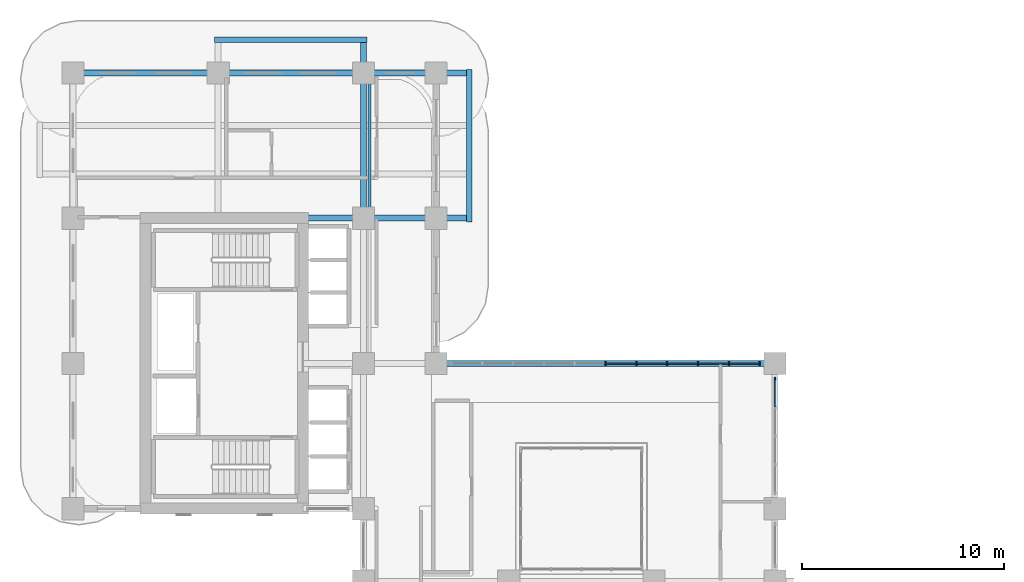
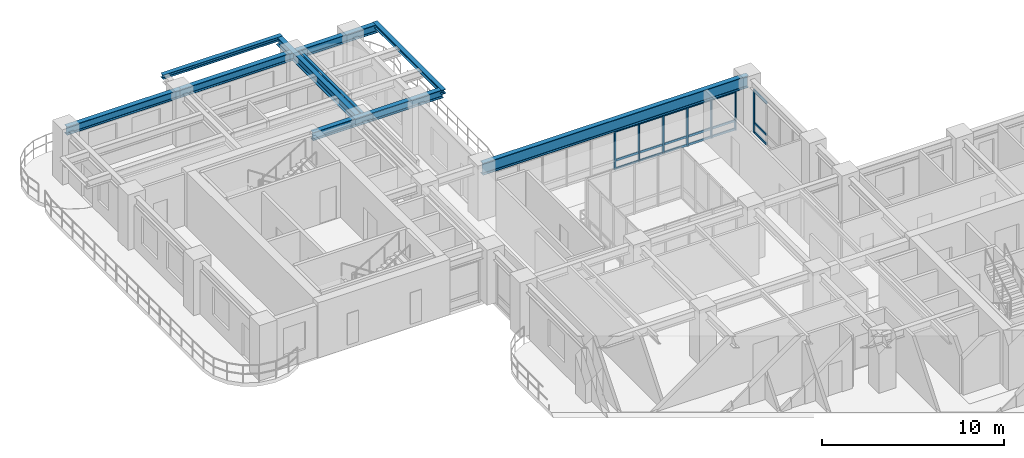
# One storey, part 7 of 22: 25 members, 8 beams, 2 elements without a shape of their own.
"""IFC4 building model written with IfcOpenShell, lengths in metres."""

from ifc_helpers import new_model, si_unit, derived_unit, direction, frame, origin, origin_2d, place, context, subcontext, project, spatial, rectangle, i_section, extrude, source, transform, mapped, material, layer, layer_set, material_profile, profile_set, type_object, type_shapes, element, aggregate, save


model = new_model("IFC4")

# Units and contexts
model_context = context("Model", 3, precision=1e-05, world=origin(), true_north=direction((0.0, 1.0)))
body_context = subcontext(model_context, "Body", "Model", "MODEL_VIEW")
ifc_project = project(units=[si_unit("LENGTHUNIT", "METRE"), si_unit("AREAUNIT", "SQUARE_METRE"), si_unit("VOLUMEUNIT", "CUBIC_METRE"), si_unit("PLANEANGLEUNIT", "RADIAN"), si_unit("MASSUNIT", "GRAM", prefix="KILO"), si_unit("THERMODYNAMICTEMPERATUREUNIT", "KELVIN"), si_unit("POWERUNIT", "WATT"), derived_unit("THERMALTRANSMITTANCEUNIT", [(si_unit("POWERUNIT", "WATT"), 1), (si_unit("AREAUNIT", "SQUARE_METRE"), -1), (si_unit("THERMODYNAMICTEMPERATUREUNIT", "KELVIN"), -1)])], contexts=[model_context])

# Site, building, storey
site_placement = place(None, origin())
site = spatial("IfcSite", under=ifc_project, at=site_placement, CompositionType="ELEMENT")
building_placement = place(site_placement, origin())
building = spatial("IfcBuilding", under=site, at=building_placement, Name="Zahravan Archway Hotel and Residences", CompositionType="ELEMENT")
storey_placement = place(building_placement, frame((0.0, 0.0, 76.800048828125)))
storey = spatial("IfcBuildingStorey", under=building, at=storey_placement, Name="L18", CompositionType="ELEMENT", Elevation=76.800048828125)

# Beams
ifc_material_1 = material(Name="Structural Steel S355JR", Category="steel")
ifc_material_profile_1 = material_profile(ifc_material_1, i_section(OverallWidth=0.280029296875, OverallDepth=0.280029296875, WebThickness=0.010498046875, FlangeThickness=0.01806640625, FilletRadius=0.02392578125, at=origin_2d()), Name="HEB 280", Category="steel")
ifc_profile_set_1 = profile_set([ifc_material_profile_1], Name="Structural Steel S355JR")
beam_type_1 = type_object("IfcBeamType", Name="BM-SPN-HEB280", PredefinedType="SPANDREL", material=ifc_profile_set_1)
shared_shape_1 = source(origin(), body_context, "Body", "SweptSolid", [
    extrude(i_section(OverallWidth=0.280029296875, OverallDepth=0.280029296875, WebThickness=0.010498046875, FlangeThickness=0.01806640625, FilletRadius=0.02392578125, at=origin_2d()), origin(), (0.0, 0.0, 1.0), 7.56005859375),
])
type_shapes(beam_type_1, [shared_shape_1])
for number, where, z_axis, x_axis, name in (
    (1, (19.64990234375, 39.419921875, 3.31005859375), (0.0, 1.0, 0.0), (-1.0, 0.0, 0.0), "L19 EB Balcony Edge Spandrel"),
    (2, (7.02001953125, 48.449951171875, 3.31005859375), (1.0, 0.0, 0.0), (0.0, 1.0, 0.0), "L19 NB Balcony Edge Spandrel"),
):
    element("IfcBeam", number, at=place(storey_placement, frame(where, z_axis=z_axis, x_axis=x_axis)), inside=storey, type_object=beam_type_1, Name=name, PredefinedType="SPANDREL", context=body_context, shape_type="MappedRepresentation", body=[
        mapped(shared_shape_1, transform((0.0, 0.0, 0.0), scale=1.0)),
    ])
ifc_material_profile_2 = material_profile(ifc_material_1, i_section(OverallWidth=0.300048828125, OverallDepth=0.550048828125, WebThickness=0.014892578125, FlangeThickness=0.029052734375, FilletRadius=0.027099609375, at=origin_2d()), Name="HEB 550", Category="steel")
ifc_profile_set_2 = profile_set([ifc_material_profile_2], Name="Structural Steel S355JR")
beam_type_2 = type_object("IfcBeamType", Name="BM-PRI-HEB550", PredefinedType="BEAM", material=ifc_profile_set_2)
shared_shape_2 = source(origin(), body_context, "Body", "SweptSolid", [
    extrude(i_section(OverallWidth=0.300048828125, OverallDepth=0.550048828125, WebThickness=0.014892578125, FlangeThickness=0.029052734375, FilletRadius=0.027099609375, at=origin_2d()), origin(), (0.0, 0.0, 1.0), 7.199951171875),
])
beam_1_placement = place(storey_placement, frame((0.0, 46.800048828125, 3.175048828125), z_axis=(1.0, 0.0, 0.0), x_axis=(0.0, 1.0, 0.0)))
element("IfcBeam", 3, at=beam_1_placement, inside=storey, type_object=beam_type_2, Name="L18 Primary Girder EW-24", PredefinedType="BEAM", context=body_context, shape_type="MappedRepresentation", body=[
    mapped(shared_shape_2, transform((0.0, 0.0, 0.0), scale=1.0)),
])
shared_shape_3 = source(origin(), body_context, "Body", "SweptSolid", [
    extrude(i_section(OverallWidth=0.300048828125, OverallDepth=0.550048828125, WebThickness=0.014892578125, FlangeThickness=0.029052734375, FilletRadius=0.027099609375, at=origin_2d()), origin(), (0.0, 0.0, 1.0), 8.25),
])
beam_2_placement = place(storey_placement, frame((11.39990234375, 39.60009765625, 3.175048828125), z_axis=(1.0, 0.0, 0.0), x_axis=(0.0, 1.0, 0.0)))
element("IfcBeam", 4, at=beam_2_placement, inside=storey, type_object=beam_type_2, Name="L18 Primary Girder EW-23", PredefinedType="BEAM", context=body_context, shape_type="MappedRepresentation", body=[
    mapped(shared_shape_3, transform((0.0, 0.0, 0.0), scale=1.0)),
])
shared_shape_4 = source(origin(), body_context, "Body", "SweptSolid", [
    extrude(i_section(OverallWidth=0.300048828125, OverallDepth=0.550048828125, WebThickness=0.014892578125, FlangeThickness=0.029052734375, FilletRadius=0.027099609375, at=origin_2d()), origin(), (0.0, 0.0, 1.0), 12.449951171875),
])
beam_3_placement = place(storey_placement, frame((7.199951171875, 46.800048828125, 3.175048828125), z_axis=(1.0, 0.0, 0.0), x_axis=(0.0, 1.0, 0.0)))
element("IfcBeam", 5, at=beam_3_placement, inside=storey, type_object=beam_type_2, Name="L18 Primary Girder EW-25", PredefinedType="BEAM", context=body_context, shape_type="MappedRepresentation", body=[
    mapped(shared_shape_4, transform((0.0, 0.0, 0.0), scale=1.0)),
])
shared_shape_5 = source(origin(), body_context, "Body", "SweptSolid", [
    extrude(i_section(OverallWidth=0.300048828125, OverallDepth=0.550048828125, WebThickness=0.014892578125, FlangeThickness=0.029052734375, FilletRadius=0.027099609375, at=origin_2d()), origin(), (0.0, 0.0, 1.0), 8.849853515625),
])
beam_4_placement = place(storey_placement, frame((14.39990234375, 39.60009765625, 3.175048828125), z_axis=(0.0, 1.0, 0.0), x_axis=(-1.0, 0.0, 0.0)))
element("IfcBeam", 6, at=beam_4_placement, inside=storey, type_object=beam_type_2, Name="L18 Primary Girder NS-38", PredefinedType="BEAM", context=body_context, shape_type="MappedRepresentation", body=[
    mapped(shared_shape_5, transform((0.0, 0.0, 0.0), scale=1.0)),
])
ifc_material_2 = material(Name="Structural Steel S355J2", Category="steel")
ifc_material_profile_3 = material_profile(ifc_material_2, i_section(OverallWidth=0.300048828125, OverallDepth=0.800048828125, WebThickness=0.017578125, FlangeThickness=0.032958984375, FilletRadius=0.030029296875, at=origin_2d()), Name="HEB 800", Category="steel")
ifc_profile_set_3 = profile_set([ifc_material_profile_3], Name="Structural Steel S355J2")
beam_type_3 = type_object("IfcBeamType", Name="BM-PRI-HEB800", PredefinedType="BEAM", material=ifc_profile_set_3)
shared_shape_6 = source(origin(), body_context, "Body", "SweptSolid", [
    extrude(i_section(OverallWidth=0.300048828125, OverallDepth=0.800048828125, WebThickness=0.017578125, FlangeThickness=0.032958984375, FilletRadius=0.030029296875, at=origin_2d()), origin(), (0.0, 0.0, 1.0), 16.800048828125),
])
type_shapes(beam_type_3, [shared_shape_6])
beam_5_placement = place(storey_placement, frame((18.0, 32.39990234375, 3.050048828125), z_axis=(1.0, 0.0, 0.0), x_axis=(0.0, 1.0, 0.0)))
element("IfcBeam", 7, at=beam_5_placement, inside=storey, type_object=beam_type_3, Name="L18 Primary Girder EW-22", PredefinedType="BEAM", context=body_context, shape_type="MappedRepresentation", body=[
    mapped(shared_shape_6, transform((0.0, 0.0, 0.0), scale=1.0)),
])
ifc_material_profile_4 = material_profile(ifc_material_1, i_section(OverallWidth=0.169921875, OverallDepth=0.360107421875, WebThickness=0.008056640625, FlangeThickness=0.0126953125, FilletRadius=0.01806640625, at=origin_2d()), Name="IPE 360", Category="steel")
ifc_profile_set_4 = profile_set([ifc_material_profile_4], Name="Structural Steel S355JR")
beam_type_4 = type_object("IfcBeamType", Name="BM-JST-IPE360", PredefinedType="JOIST", material=ifc_profile_set_4)
shared_shape_7 = source(origin(), body_context, "Body", "SweptSolid", [
    extrude(i_section(OverallWidth=0.169921875, OverallDepth=0.360107421875, WebThickness=0.008056640625, FlangeThickness=0.0126953125, FilletRadius=0.01806640625, at=origin_2d()), origin(), (0.0, 0.0, 1.0), 6.904052734375),
])
type_shapes(beam_type_4, [shared_shape_7])
beam_6_placement = place(storey_placement, frame((14.699951171875, 39.748046875, 3.27001953125), z_axis=(0.0, 1.0, 0.0), x_axis=(-1.0, 0.0, 0.0)))
element("IfcBeam", 8, at=beam_6_placement, inside=storey, type_object=beam_type_4, Name="L18 Composite Floor Joist 14", PredefinedType="JOIST", context=body_context, shape_type="MappedRepresentation", body=[
    mapped(shared_shape_7, transform((0.0, 0.0, 0.0), scale=1.0)),
])

# Curtain wall, members
ifc_material_3 = material(Name="Bronze-Anodized Unitised Aluminium & Low-E Glass", Category="aluminium")
ifc_layer = layer(ifc_material_3, 0.179931640625, Name="Bronze-Anodized Unitised Aluminium & Low-E Glass", Category="aluminium")
ifc_layer_set = layer_set([ifc_layer], Name="Bronze-Anodized Unitised Aluminium & Low-E Glass")
curtain_wall_type = type_object("IfcCurtainWallType", Name="CW-ATR-GLAZ", PredefinedType="NOTDEFINED", material=ifc_layer_set)
curtain_wall_1_placement = place(storey_placement, origin())
curtain_wall_1 = element("IfcCurtainWall", 9, at=curtain_wall_1_placement, inside=storey, type_object=curtain_wall_type, Name="L18 Curtain Wall CW-L18-HNG-E-2", PredefinedType="NOTDEFINED")
ifc_material_4 = material(Name="Bronze-Anodized Extruded Aluminium", Category="aluminium")
ifc_material_profile_5 = material_profile(ifc_material_4, rectangle(XDim=0.080078125, YDim=0.139892578125, at=origin_2d()), Name="TRN 80x140", Category="aluminium")
ifc_profile_set_5 = profile_set([ifc_material_profile_5], Name="Bronze-Anodized Extruded Aluminium")
member_type_1 = type_object("IfcMemberType", Name="CWM-TRN-140", PredefinedType="USERDEFINED", material=ifc_profile_set_5)
shared_shape_8 = source(origin(), body_context, "Body", "SweptSolid", [
    extrude(rectangle(XDim=0.080078125, YDim=0.139892578125, at=origin_2d()), origin(), (0.0, 0.0, 1.0), 1.340087890625),
])
member_1_placement = place(storey_placement, frame((34.800048828125, 30.260009765625, 0.070068359375), z_axis=(0.0, 1.0, 0.0), x_axis=(-1.0, 0.0, 0.0)))
member_1 = element("IfcMember", 10, at=member_1_placement, type_object=member_type_1, Name="CW-L18-HNG-E-2 Transom 3-1", ObjectType="TRANSOM", PredefinedType="USERDEFINED", context=body_context, shape_type="MappedRepresentation", body=[
    mapped(shared_shape_8, transform((0.0, 0.0, 0.0), scale=1.0)),
])
member_2_placement = place(storey_placement, frame((34.800048828125, 30.260009765625, 0.6923828125), z_axis=(0.0, 1.0, 0.0), x_axis=(-1.0, 0.0, 0.0)))
member_2 = element("IfcMember", 11, at=member_2_placement, type_object=member_type_1, Name="CW-L18-HNG-E-2 Transom 3-2", ObjectType="TRANSOM", PredefinedType="USERDEFINED", context=body_context, shape_type="MappedRepresentation", body=[
    mapped(shared_shape_8, transform((0.0, 0.0, 0.0), scale=1.0)),
])
member_3_placement = place(storey_placement, frame((34.800048828125, 30.260009765625, 2.81494140625), z_axis=(0.0, 1.0, 0.0), x_axis=(-1.0, 0.0, 0.0)))
member_3 = element("IfcMember", 12, at=member_3_placement, type_object=member_type_1, Name="CW-L18-HNG-E-2 Transom 3-3", ObjectType="TRANSOM", PredefinedType="USERDEFINED", context=body_context, shape_type="MappedRepresentation", body=[
    mapped(shared_shape_8, transform((0.0, 0.0, 0.0), scale=1.0)),
])
ifc_material_profile_6 = material_profile(ifc_material_4, rectangle(XDim=0.080078125, YDim=0.159912109375, at=origin_2d()), Name="MUL 80x160", Category="aluminium")
ifc_profile_set_6 = profile_set([ifc_material_profile_6], Name="Bronze-Anodized Extruded Aluminium")
member_type_2 = type_object("IfcMemberType", Name="CWM-MUL-160", PredefinedType="MULLION", material=ifc_profile_set_6)
shared_shape_9 = source(origin(), body_context, "Body", "SweptSolid", [
    extrude(rectangle(XDim=0.080078125, YDim=0.159912109375, at=origin_2d()), origin(), (0.0, 0.0, 1.0), 2.885009765625),
])
member_4_placement = place(storey_placement, frame((34.800048828125, 31.639892578125, 0.0), z_axis=(0.0, 0.0, 1.0), x_axis=(1.0, 0.0, 0.0)))
member_4 = element("IfcMember", 13, at=member_4_placement, type_object=member_type_2, Name="CW-L18-HNG-E-2 Mullion 4", PredefinedType="MULLION", context=body_context, shape_type="MappedRepresentation", body=[
    mapped(shared_shape_9, transform((0.0, 0.0, 0.0), scale=1.0)),
])
aggregate(curtain_wall_1, [member_4, member_1, member_2, member_3])

curtain_wall_2_placement = place(storey_placement, origin())
curtain_wall_2 = element("IfcCurtainWall", 14, at=curtain_wall_2_placement, inside=storey, type_object=curtain_wall_type, Name="L18 Curtain Wall CW-L18-HNG-N-1", PredefinedType="NOTDEFINED")
shared_shape_10 = source(origin(), body_context, "Body", "SweptSolid", [
    extrude(rectangle(XDim=0.080078125, YDim=0.159912109375, at=origin_2d()), origin(), (0.0, 0.0, 1.0), 2.635009765625),
])
member_5_placement = place(storey_placement, frame((26.39990234375, 32.39990234375, 0.0), z_axis=(0.0, 0.0, 1.0), x_axis=(1.0, 0.0, 0.0)))
member_5 = element("IfcMember", 15, at=member_5_placement, type_object=member_type_2, Name="CW-L18-HNG-N-1 Mullion 5", PredefinedType="MULLION", context=body_context, shape_type="MappedRepresentation", body=[
    mapped(shared_shape_10, transform((0.0, 0.0, 0.0), scale=1.0)),
])
member_6_placement = place(storey_placement, frame((27.927978515625, 32.39990234375, 0.0), z_axis=(0.0, 0.0, 1.0), x_axis=(1.0, 0.0, 0.0)))
member_6 = element("IfcMember", 16, at=member_6_placement, type_object=member_type_2, Name="CW-L18-HNG-N-1 Mullion 6", PredefinedType="MULLION", context=body_context, shape_type="MappedRepresentation", body=[
    mapped(shared_shape_10, transform((0.0, 0.0, 0.0), scale=1.0)),
])
member_7_placement = place(storey_placement, frame((29.4560546875, 32.39990234375, 0.0), z_axis=(0.0, 0.0, 1.0), x_axis=(1.0, 0.0, 0.0)))
member_7 = element("IfcMember", 17, at=member_7_placement, type_object=member_type_2, Name="CW-L18-HNG-N-1 Mullion 7", PredefinedType="MULLION", context=body_context, shape_type="MappedRepresentation", body=[
    mapped(shared_shape_10, transform((0.0, 0.0, 0.0), scale=1.0)),
])
member_8_placement = place(storey_placement, frame((30.98388671875, 32.39990234375, 0.0), z_axis=(0.0, 0.0, 1.0), x_axis=(1.0, 0.0, 0.0)))
member_8 = element("IfcMember", 18, at=member_8_placement, type_object=member_type_2, Name="CW-L18-HNG-N-1 Mullion 8", PredefinedType="MULLION", context=body_context, shape_type="MappedRepresentation", body=[
    mapped(shared_shape_10, transform((0.0, 0.0, 0.0), scale=1.0)),
])
member_9_placement = place(storey_placement, frame((32.511962890625, 32.39990234375, 0.0), z_axis=(0.0, 0.0, 1.0), x_axis=(1.0, 0.0, 0.0)))
member_9 = element("IfcMember", 19, at=member_9_placement, type_object=member_type_2, Name="CW-L18-HNG-N-1 Mullion 9", PredefinedType="MULLION", context=body_context, shape_type="MappedRepresentation", body=[
    mapped(shared_shape_10, transform((0.0, 0.0, 0.0), scale=1.0)),
])
member_10_placement = place(storey_placement, frame((34.0400390625, 32.39990234375, 0.0), z_axis=(0.0, 0.0, 1.0), x_axis=(1.0, 0.0, 0.0)))
member_10 = element("IfcMember", 20, at=member_10_placement, type_object=member_type_2, Name="CW-L18-HNG-N-1 Mullion 10", PredefinedType="MULLION", context=body_context, shape_type="MappedRepresentation", body=[
    mapped(shared_shape_10, transform((0.0, 0.0, 0.0), scale=1.0)),
])
shared_shape_11 = source(origin(), body_context, "Body", "SweptSolid", [
    extrude(rectangle(XDim=0.080078125, YDim=0.139892578125, at=origin_2d()), origin(), (0.0, 0.0, 1.0), 1.447998046875),
])
member_11_placement = place(storey_placement, frame((26.43994140625, 32.39990234375, 0.070068359375), z_axis=(1.0, 0.0, 0.0), x_axis=(0.0, 1.0, 0.0)))
member_11 = element("IfcMember", 21, at=member_11_placement, type_object=member_type_1, Name="CW-L18-HNG-N-1 Transom 5-1", ObjectType="TRANSOM", PredefinedType="USERDEFINED", context=body_context, shape_type="MappedRepresentation", body=[
    mapped(shared_shape_11, transform((0.0, 0.0, 0.0), scale=1.0)),
])
member_12_placement = place(storey_placement, frame((26.43994140625, 32.39990234375, 0.63232421875), z_axis=(1.0, 0.0, 0.0), x_axis=(0.0, 1.0, 0.0)))
member_12 = element("IfcMember", 22, at=member_12_placement, type_object=member_type_1, Name="CW-L18-HNG-N-1 Transom 5-2", ObjectType="TRANSOM", PredefinedType="USERDEFINED", context=body_context, shape_type="MappedRepresentation", body=[
    mapped(shared_shape_11, transform((0.0, 0.0, 0.0), scale=1.0)),
])
member_13_placement = place(storey_placement, frame((26.43994140625, 32.39990234375, 2.56494140625), z_axis=(1.0, 0.0, 0.0), x_axis=(0.0, 1.0, 0.0)))
member_13 = element("IfcMember", 23, at=member_13_placement, type_object=member_type_1, Name="CW-L18-HNG-N-1 Transom 5-3", ObjectType="TRANSOM", PredefinedType="USERDEFINED", context=body_context, shape_type="MappedRepresentation", body=[
    mapped(shared_shape_11, transform((0.0, 0.0, 0.0), scale=1.0)),
])
member_14_placement = place(storey_placement, frame((27.968017578125, 32.39990234375, 0.070068359375), z_axis=(1.0, 0.0, 0.0), x_axis=(0.0, 1.0, 0.0)))
member_14 = element("IfcMember", 24, at=member_14_placement, type_object=member_type_1, Name="CW-L18-HNG-N-1 Transom 6-1", ObjectType="TRANSOM", PredefinedType="USERDEFINED", context=body_context, shape_type="MappedRepresentation", body=[
    mapped(shared_shape_11, transform((0.0, 0.0, 0.0), scale=1.0)),
])
member_15_placement = place(storey_placement, frame((27.968017578125, 32.39990234375, 0.63232421875), z_axis=(1.0, 0.0, 0.0), x_axis=(0.0, 1.0, 0.0)))
member_15 = element("IfcMember", 25, at=member_15_placement, type_object=member_type_1, Name="CW-L18-HNG-N-1 Transom 6-2", ObjectType="TRANSOM", PredefinedType="USERDEFINED", context=body_context, shape_type="MappedRepresentation", body=[
    mapped(shared_shape_11, transform((0.0, 0.0, 0.0), scale=1.0)),
])
member_16_placement = place(storey_placement, frame((27.968017578125, 32.39990234375, 2.56494140625), z_axis=(1.0, 0.0, 0.0), x_axis=(0.0, 1.0, 0.0)))
member_16 = element("IfcMember", 26, at=member_16_placement, type_object=member_type_1, Name="CW-L18-HNG-N-1 Transom 6-3", ObjectType="TRANSOM", PredefinedType="USERDEFINED", context=body_context, shape_type="MappedRepresentation", body=[
    mapped(shared_shape_11, transform((0.0, 0.0, 0.0), scale=1.0)),
])
member_17_placement = place(storey_placement, frame((29.49609375, 32.39990234375, 0.070068359375), z_axis=(1.0, 0.0, 0.0), x_axis=(0.0, 1.0, 0.0)))
member_17 = element("IfcMember", 27, at=member_17_placement, type_object=member_type_1, Name="CW-L18-HNG-N-1 Transom 7-1", ObjectType="TRANSOM", PredefinedType="USERDEFINED", context=body_context, shape_type="MappedRepresentation", body=[
    mapped(shared_shape_11, transform((0.0, 0.0, 0.0), scale=1.0)),
])
member_18_placement = place(storey_placement, frame((29.49609375, 32.39990234375, 0.63232421875), z_axis=(1.0, 0.0, 0.0), x_axis=(0.0, 1.0, 0.0)))
member_18 = element("IfcMember", 28, at=member_18_placement, type_object=member_type_1, Name="CW-L18-HNG-N-1 Transom 7-2", ObjectType="TRANSOM", PredefinedType="USERDEFINED", context=body_context, shape_type="MappedRepresentation", body=[
    mapped(shared_shape_11, transform((0.0, 0.0, 0.0), scale=1.0)),
])
member_19_placement = place(storey_placement, frame((29.49609375, 32.39990234375, 2.56494140625), z_axis=(1.0, 0.0, 0.0), x_axis=(0.0, 1.0, 0.0)))
member_19 = element("IfcMember", 29, at=member_19_placement, type_object=member_type_1, Name="CW-L18-HNG-N-1 Transom 7-3", ObjectType="TRANSOM", PredefinedType="USERDEFINED", context=body_context, shape_type="MappedRepresentation", body=[
    mapped(shared_shape_11, transform((0.0, 0.0, 0.0), scale=1.0)),
])
member_20_placement = place(storey_placement, frame((31.02392578125, 32.39990234375, 0.070068359375), z_axis=(1.0, 0.0, 0.0), x_axis=(0.0, 1.0, 0.0)))
member_20 = element("IfcMember", 30, at=member_20_placement, type_object=member_type_1, Name="CW-L18-HNG-N-1 Transom 8-1", ObjectType="TRANSOM", PredefinedType="USERDEFINED", context=body_context, shape_type="MappedRepresentation", body=[
    mapped(shared_shape_11, transform((0.0, 0.0, 0.0), scale=1.0)),
])
member_21_placement = place(storey_placement, frame((31.02392578125, 32.39990234375, 0.63232421875), z_axis=(1.0, 0.0, 0.0), x_axis=(0.0, 1.0, 0.0)))
member_21 = element("IfcMember", 31, at=member_21_placement, type_object=member_type_1, Name="CW-L18-HNG-N-1 Transom 8-2", ObjectType="TRANSOM", PredefinedType="USERDEFINED", context=body_context, shape_type="MappedRepresentation", body=[
    mapped(shared_shape_11, transform((0.0, 0.0, 0.0), scale=1.0)),
])
member_22_placement = place(storey_placement, frame((31.02392578125, 32.39990234375, 2.56494140625), z_axis=(1.0, 0.0, 0.0), x_axis=(0.0, 1.0, 0.0)))
member_22 = element("IfcMember", 32, at=member_22_placement, type_object=member_type_1, Name="CW-L18-HNG-N-1 Transom 8-3", ObjectType="TRANSOM", PredefinedType="USERDEFINED", context=body_context, shape_type="MappedRepresentation", body=[
    mapped(shared_shape_11, transform((0.0, 0.0, 0.0), scale=1.0)),
])
member_23_placement = place(storey_placement, frame((32.552001953125, 32.39990234375, 0.070068359375), z_axis=(1.0, 0.0, 0.0), x_axis=(0.0, 1.0, 0.0)))
member_23 = element("IfcMember", 33, at=member_23_placement, type_object=member_type_1, Name="CW-L18-HNG-N-1 Transom 9-1", ObjectType="TRANSOM", PredefinedType="USERDEFINED", context=body_context, shape_type="MappedRepresentation", body=[
    mapped(shared_shape_11, transform((0.0, 0.0, 0.0), scale=1.0)),
])
member_24_placement = place(storey_placement, frame((32.552001953125, 32.39990234375, 0.63232421875), z_axis=(1.0, 0.0, 0.0), x_axis=(0.0, 1.0, 0.0)))
member_24 = element("IfcMember", 34, at=member_24_placement, type_object=member_type_1, Name="CW-L18-HNG-N-1 Transom 9-2", ObjectType="TRANSOM", PredefinedType="USERDEFINED", context=body_context, shape_type="MappedRepresentation", body=[
    mapped(shared_shape_11, transform((0.0, 0.0, 0.0), scale=1.0)),
])
member_25_placement = place(storey_placement, frame((32.552001953125, 32.39990234375, 2.56494140625), z_axis=(1.0, 0.0, 0.0), x_axis=(0.0, 1.0, 0.0)))
member_25 = element("IfcMember", 35, at=member_25_placement, type_object=member_type_1, Name="CW-L18-HNG-N-1 Transom 9-3", ObjectType="TRANSOM", PredefinedType="USERDEFINED", context=body_context, shape_type="MappedRepresentation", body=[
    mapped(shared_shape_11, transform((0.0, 0.0, 0.0), scale=1.0)),
])
aggregate(curtain_wall_2, [member_5, member_6, member_7, member_8, member_9, member_10, member_11, member_12, member_13, member_14, member_15, member_16, member_17, member_18, member_19, member_20, member_21, member_22, member_23, member_24, member_25])

save(model, "model.ifc")
